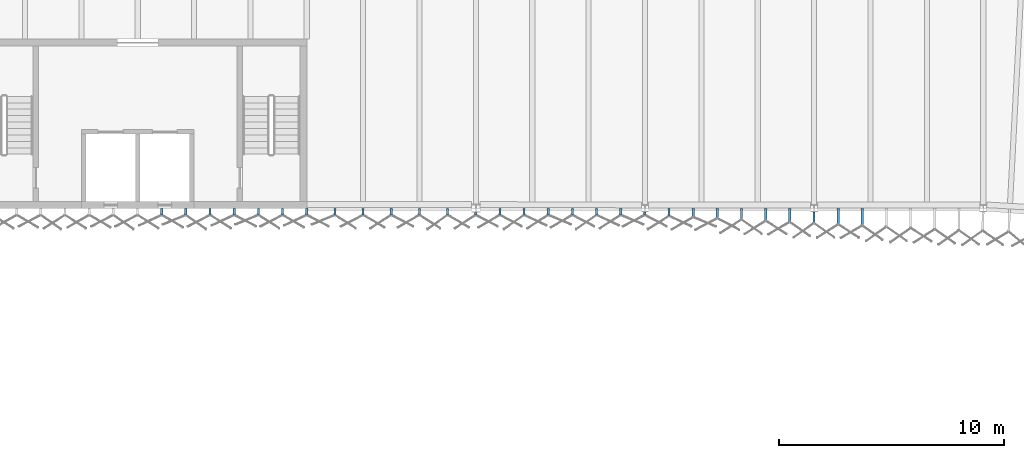
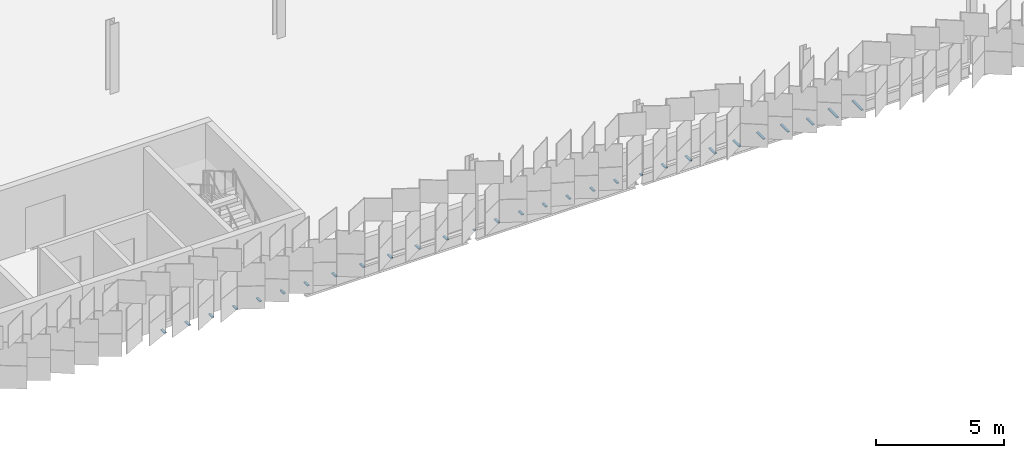
# One storey, part 170 of 198: 29 discrete accessories.
"""IFC4 building model written with IfcOpenShell, lengths in metres."""

from ifc_helpers import new_model, si_unit, direction, frame, origin, origin_2d, place, context, subcontext, project, spatial, rectangle, extrude, material, type_object, element, save


model = new_model("IFC4")

# Units and contexts
model_context = context("Model", 3, precision=1e-05, world=origin(), true_north=direction((0.0, 1.0)))
body_context = subcontext(model_context, "Body", "Model", "MODEL_VIEW")
ifc_project = project(units=[si_unit("LENGTHUNIT", "METRE"), si_unit("AREAUNIT", "SQUARE_METRE"), si_unit("VOLUMEUNIT", "CUBIC_METRE"), si_unit("PLANEANGLEUNIT", "RADIAN"), si_unit("MASSUNIT", "GRAM", prefix="KILO")], contexts=[model_context])

# Site, building, storey
site_placement = place(None, origin())
site = spatial("IfcSite", under=ifc_project, at=site_placement, CompositionType="ELEMENT")
building_placement = place(site_placement, origin())
building = spatial("IfcBuilding", under=site, at=building_placement, Name="Parallax Yard Mobility Hub", CompositionType="ELEMENT")
storey_placement = place(building_placement, frame((0.0, 0.0, 6.60009765625)))
storey = spatial("IfcBuildingStorey", under=building, at=storey_placement, Name="L02", CompositionType="ELEMENT", Elevation=6.60009765625)

# Discrete accessories
ifc_material = material(Name="Steel ASTM A36, hot-dip galvanised", Category="steel")
discrete_accessory_type = type_object("IfcDiscreteAccessoryType", Name="Hinge bracket plate 100x50", PredefinedType="BRACKET", material=ifc_material)
for number, where, z_axis, x_axis, name in (
    (1, (136.064697265625, 112.3583984375, -0.02490234375), (0.0, 0.0, 1.0), (0.0, -1.0, 0.0), "Hinge bracket plate bay 13.9 level L02"),
    (2, (137.136962890625, 112.3583984375, -0.02490234375), (0.0, 0.0, 1.0), (0.0, -1.0, 0.0), "Hinge bracket plate bay 13.10 level L02"),
    (3, (138.209228515625, 112.3583984375, -0.02490234375), (0.0, 0.0, 1.0), (0.0, -1.0, 0.0), "Hinge bracket plate bay 13.11 level L02"),
    (4, (139.281494140625, 112.3583984375, -0.02490234375), (0.0, 0.0, 1.0), (0.0, -1.0, 0.0), "Hinge bracket plate bay 13.12 level L02"),
    (5, (140.353515625, 112.3583984375, -0.02490234375), (0.0, 0.0, 1.0), (0.0, -1.0, 0.0), "Hinge bracket plate bay 13.13 level L02"),
    (6, (141.42578125, 112.3583984375, -0.02490234375), (0.0, 0.0, 1.0), (0.0, -1.0, 0.0), "Hinge bracket plate bay 13.14 level L02"),
    (7, (142.498046875, 112.3583984375, -0.02490234375), (0.0, 0.0, 1.0), (0.0, -1.0, 0.0), "Hinge bracket plate bay 14.1 level L02"),
    (8, (143.747314453125, 112.3583984375, -0.02490234375), (0.0, 0.0, 1.0), (0.0, -1.0, 0.0), "Hinge bracket plate bay 14.2 level L02"),
    (9, (144.99658203125, 112.3583984375, -0.02490234375), (0.0, 0.0, 1.0), (0.0, -1.0, 0.0), "Hinge bracket plate bay 14.3 level L02"),
    (10, (146.245849609375, 112.3583984375, -0.02490234375), (0.0, 0.0, 1.0), (0.0, -1.0, 0.0), "Hinge bracket plate bay 14.4 level L02"),
    (11, (147.4951171875, 112.3583984375, -0.02490234375), (0.0, 0.0, 1.0), (0.0, -1.0, 0.0), "Hinge bracket plate bay 14.5 level L02"),
    (12, (148.744384765625, 112.3583984375, -0.02490234375), (0.0, 0.0, 1.0), (0.0, -1.0, 0.0), "Hinge bracket plate bay 14.6 level L02"),
):
    element("IfcDiscreteAccessory", number, at=place(storey_placement, frame(where, z_axis=z_axis, x_axis=x_axis)), inside=storey, type_object=discrete_accessory_type, Name=name, PredefinedType="BRACKET", context=body_context, shape_type="SweptSolid", body=[
        extrude(rectangle(XDim=0.2841796875, YDim=0.10009765625, at=origin_2d()), origin(), (0.0, 0.0, 1.0), 0.050048828125),
    ])
discrete_accessory_1_placement = place(storey_placement, frame((149.993408203125, 112.266357421875, -0.02490234375), z_axis=(0.0, 0.0, 1.0), x_axis=(0.0, -1.0, 0.0)))
element("IfcDiscreteAccessory", 13, at=discrete_accessory_1_placement, inside=storey, type_object=discrete_accessory_type, Name="Hinge bracket plate bay 15.1 level L02", PredefinedType="BRACKET", context=body_context, shape_type="SweptSolid", body=[
    extrude(rectangle(XDim=0.10009765625, YDim=0.10009765625, at=origin_2d()), origin(), (0.0, 0.0, 1.0), 0.050048828125),
])
for number, where, z_axis, x_axis, name in (
    (14, (151.06494140625, 112.3583984375, -0.02490234375), (0.0, 0.0, 1.0), (0.0, -1.0, 0.0), "Hinge bracket plate bay 15.2 level L02"),
    (15, (152.136474609375, 112.3583984375, -0.02490234375), (0.0, 0.0, 1.0), (0.0, -1.0, 0.0), "Hinge bracket plate bay 15.3 level L02"),
    (16, (153.2080078125, 112.3583984375, -0.02490234375), (0.0, 0.0, 1.0), (0.0, -1.0, 0.0), "Hinge bracket plate bay 15.4 level L02"),
    (17, (154.279541015625, 112.3583984375, -0.02490234375), (0.0, 0.0, 1.0), (0.0, -1.0, 0.0), "Hinge bracket plate bay 15.5 level L02"),
    (18, (155.35107421875, 112.3583984375, -0.02490234375), (0.0, 0.0, 1.0), (0.0, -1.0, 0.0), "Hinge bracket plate bay 15.6 level L02"),
    (19, (156.422607421875, 112.3583984375, -0.02490234375), (0.0, 0.0, 1.0), (0.0, -1.0, 0.0), "Hinge bracket plate bay 15.7 level L02"),
):
    element("IfcDiscreteAccessory", number, at=place(storey_placement, frame(where, z_axis=z_axis, x_axis=x_axis)), inside=storey, type_object=discrete_accessory_type, Name=name, PredefinedType="BRACKET", context=body_context, shape_type="SweptSolid", body=[
        extrude(rectangle(XDim=0.2841796875, YDim=0.10009765625, at=origin_2d()), origin(), (0.0, 0.0, 1.0), 0.050048828125),
    ])
discrete_accessory_2_placement = place(storey_placement, frame((157.494140625, 112.28173828125, -0.02490234375), z_axis=(0.0, 0.0, 1.0), x_axis=(0.0, -1.0, 0.0)))
element("IfcDiscreteAccessory", 20, at=discrete_accessory_2_placement, inside=storey, type_object=discrete_accessory_type, Name="Hinge bracket plate bay 16.1 level L02", PredefinedType="BRACKET", context=body_context, shape_type="SweptSolid", body=[
    extrude(rectangle(XDim=0.130615234375, YDim=0.10009765625, at=origin_2d()), origin(), (0.0, 0.0, 1.0), 0.050048828125),
])
discrete_accessory_3_placement = place(storey_placement, frame((158.565673828125, 112.337890625, -0.02490234375), z_axis=(0.0, 0.0, 1.0), x_axis=(0.0, -1.0, 0.0)))
element("IfcDiscreteAccessory", 21, at=discrete_accessory_3_placement, inside=storey, type_object=discrete_accessory_type, Name="Hinge bracket plate bay 16.2 level L02", PredefinedType="BRACKET", context=body_context, shape_type="SweptSolid", body=[
    extrude(rectangle(XDim=0.3251953125, YDim=0.10009765625, at=origin_2d()), origin(), (0.0, 0.0, 1.0), 0.050048828125),
])
discrete_accessory_4_placement = place(storey_placement, frame((159.63720703125, 112.31103515625, -0.02490234375), z_axis=(0.0, 0.0, 1.0), x_axis=(0.0, -1.0, 0.0)))
element("IfcDiscreteAccessory", 22, at=discrete_accessory_4_placement, inside=storey, type_object=discrete_accessory_type, Name="Hinge bracket plate bay 16.3 level L02", PredefinedType="BRACKET", context=body_context, shape_type="SweptSolid", body=[
    extrude(rectangle(XDim=0.37890625, YDim=0.10009765625, at=origin_2d()), origin(), (0.0, 0.0, 1.0), 0.050048828125),
])
discrete_accessory_5_placement = place(storey_placement, frame((160.70849609375, 112.2841796875, -0.02490234375), z_axis=(0.0, 0.0, 1.0), x_axis=(0.0, -1.0, 0.0)))
element("IfcDiscreteAccessory", 23, at=discrete_accessory_5_placement, inside=storey, type_object=discrete_accessory_type, Name="Hinge bracket plate bay 16.4 level L02", PredefinedType="BRACKET", context=body_context, shape_type="SweptSolid", body=[
    extrude(rectangle(XDim=0.432373046875, YDim=0.10009765625, at=origin_2d()), origin(), (0.0, 0.0, 1.0), 0.050048828125),
])
discrete_accessory_6_placement = place(storey_placement, frame((161.780029296875, 112.257568359375, -0.02490234375), z_axis=(0.0, 0.0, 1.0), x_axis=(0.0, -1.0, 0.0)))
element("IfcDiscreteAccessory", 24, at=discrete_accessory_6_placement, inside=storey, type_object=discrete_accessory_type, Name="Hinge bracket plate bay 16.5 level L02", PredefinedType="BRACKET", context=body_context, shape_type="SweptSolid", body=[
    extrude(rectangle(XDim=0.48583984375, YDim=0.10009765625, at=origin_2d()), origin(), (0.0, 0.0, 1.0), 0.050048828125),
])
discrete_accessory_7_placement = place(storey_placement, frame((162.8515625, 112.230712890625, -0.02490234375), z_axis=(0.0, 0.0, 1.0), x_axis=(0.0, -1.0, 0.0)))
element("IfcDiscreteAccessory", 25, at=discrete_accessory_7_placement, inside=storey, type_object=discrete_accessory_type, Name="Hinge bracket plate bay 16.6 level L02", PredefinedType="BRACKET", context=body_context, shape_type="SweptSolid", body=[
    extrude(rectangle(XDim=0.53955078125, YDim=0.10009765625, at=origin_2d()), origin(), (0.0, 0.0, 1.0), 0.050048828125),
])
discrete_accessory_8_placement = place(storey_placement, frame((163.923095703125, 112.2041015625, -0.02490234375), z_axis=(0.0, 0.0, 1.0), x_axis=(0.0, -1.0, 0.0)))
element("IfcDiscreteAccessory", 26, at=discrete_accessory_8_placement, inside=storey, type_object=discrete_accessory_type, Name="Hinge bracket plate bay 16.7 level L02", PredefinedType="BRACKET", context=body_context, shape_type="SweptSolid", body=[
    extrude(rectangle(XDim=0.593017578125, YDim=0.10009765625, at=origin_2d()), origin(), (0.0, 0.0, 1.0), 0.050048828125),
])
discrete_accessory_9_placement = place(storey_placement, frame((164.99462890625, 112.100341796875, -0.02490234375), z_axis=(0.0, 0.0, 1.0), x_axis=(0.0, -1.0, 0.0)))
element("IfcDiscreteAccessory", 27, at=discrete_accessory_9_placement, inside=storey, type_object=discrete_accessory_type, Name="Hinge bracket plate bay 17.1 level L02", PredefinedType="BRACKET", context=body_context, shape_type="SweptSolid", body=[
    extrude(rectangle(XDim=0.4931640625, YDim=0.10009765625, at=origin_2d()), origin(), (0.0, 0.0, 1.0), 0.050048828125),
])
discrete_accessory_10_placement = place(storey_placement, frame((166.066162109375, 112.150390625, -0.02490234375), z_axis=(0.0, 0.0, 1.0), x_axis=(0.0, -1.0, 0.0)))
element("IfcDiscreteAccessory", 28, at=discrete_accessory_10_placement, inside=storey, type_object=discrete_accessory_type, Name="Hinge bracket plate bay 17.2 level L02", PredefinedType="BRACKET", context=body_context, shape_type="SweptSolid", body=[
    extrude(rectangle(XDim=0.7001953125, YDim=0.10009765625, at=origin_2d()), origin(), (0.0, 0.0, 1.0), 0.050048828125),
])
discrete_accessory_11_placement = place(storey_placement, frame((167.1376953125, 112.12353515625, -0.02490234375), z_axis=(0.0, 0.0, 1.0), x_axis=(0.0, -1.0, 0.0)))
element("IfcDiscreteAccessory", 29, at=discrete_accessory_11_placement, inside=storey, type_object=discrete_accessory_type, Name="Hinge bracket plate bay 17.3 level L02", PredefinedType="BRACKET", context=body_context, shape_type="SweptSolid", body=[
    extrude(rectangle(XDim=0.75390625, YDim=0.10009765625, at=origin_2d()), origin(), (0.0, 0.0, 1.0), 0.050048828125),
])

save(model, "model.ifc")
